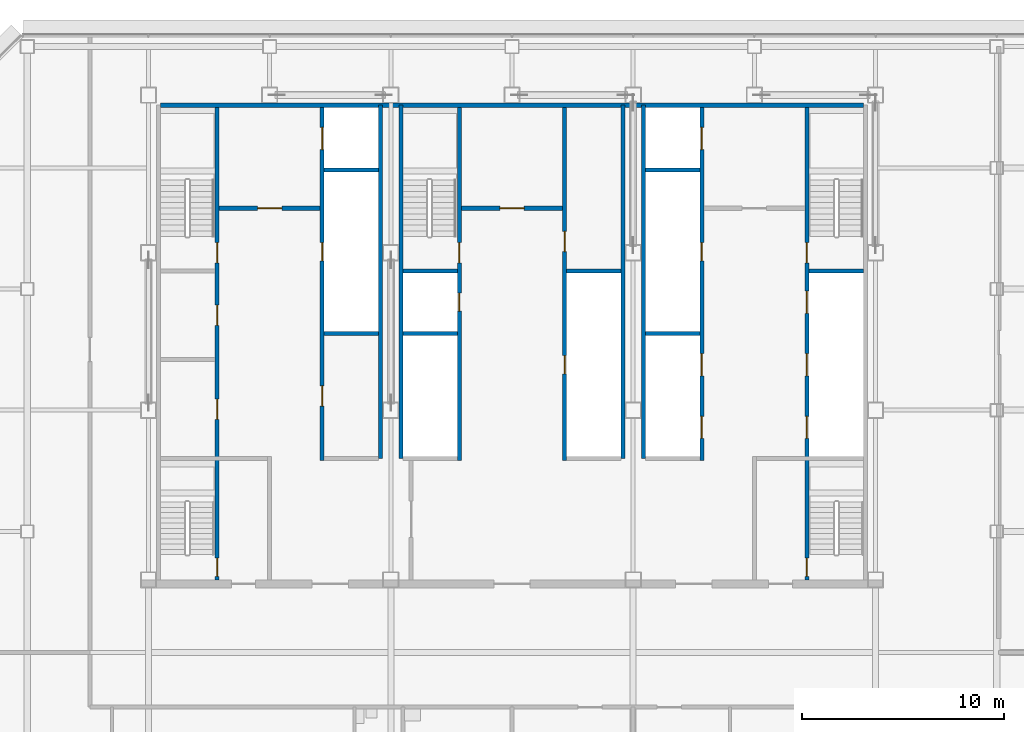
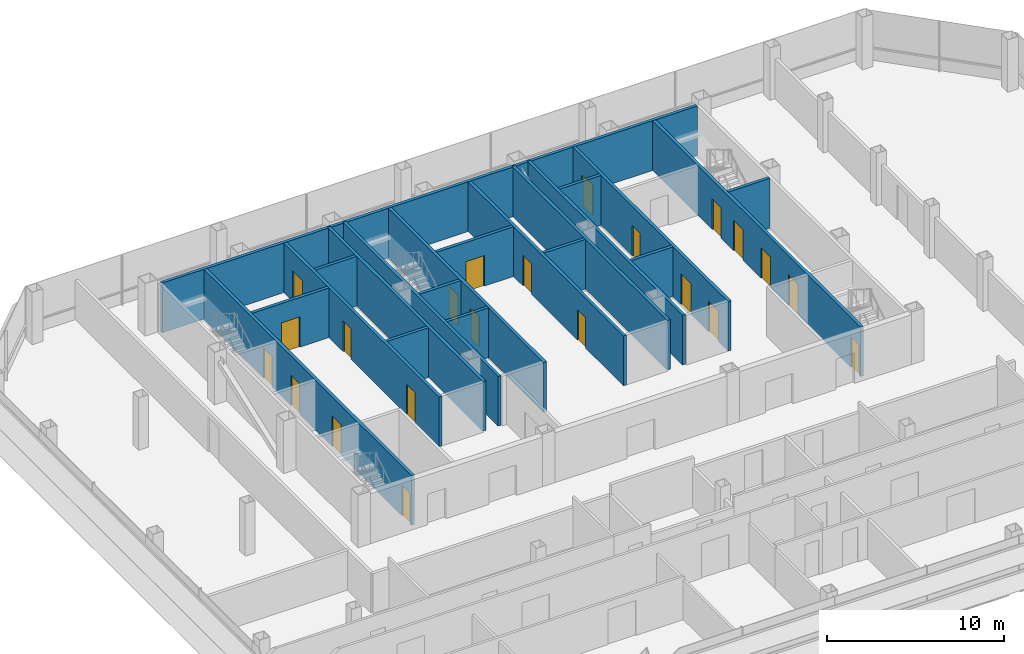
# One storey, part 21 of 24: 22 doors, 21 walls, 22 openings.
"""IFC4 building model written with IfcOpenShell, lengths in metres."""

from ifc_helpers import new_model, si_unit, direction, frame, frame_2d, origin, place, context, subcontext, project, spatial, rectangle, extrude, material, layer, layer_set, type_object, element, fill, save


model = new_model("IFC4")

# Units and contexts
model_context = context("Model", 3, precision=1e-05, world=origin(), true_north=direction((0.0, 1.0)))
body_context = subcontext(model_context, "Body", "Model", "MODEL_VIEW")
ifc_project = project(units=[si_unit("LENGTHUNIT", "METRE"), si_unit("AREAUNIT", "SQUARE_METRE"), si_unit("VOLUMEUNIT", "CUBIC_METRE"), si_unit("PLANEANGLEUNIT", "RADIAN"), si_unit("MASSUNIT", "GRAM", prefix="KILO")], contexts=[model_context])

# Site, building, storey
site_placement = place(None, origin())
site = spatial("IfcSite", under=ifc_project, at=site_placement, CompositionType="ELEMENT")
building_placement = place(site_placement, origin())
building = spatial("IfcBuilding", under=site, at=building_placement, Name="Sorahane Residences", CompositionType="ELEMENT")
storey_placement = place(building_placement, frame((0.0, 0.0, 174.39990234375)))
storey = spatial("IfcBuildingStorey", under=building, at=storey_placement, Name="L40", CompositionType="ELEMENT", Elevation=174.39990234375)

# Walls
ifc_material_1 = material(Name="Concrete C30", Category="concrete")
ifc_layer_1 = layer(ifc_material_1, 0.199951171875)
ifc_layer_set_1 = layer_set([ifc_layer_1], Name="Core face wall 200 EI 180")
wall_type_1 = type_object("IfcWallType", Name="Core face wall 200 EI 180", PredefinedType="SOLIDWALL", material=ifc_layer_set_1)
wall_1_placement = place(storey_placement, frame((6.60009765625, 45.10009765625, 0.0), z_axis=(0.0, 0.0, 1.0), x_axis=(1.0, 0.0, 0.0)))
element("IfcWall", 1, at=wall_1_placement, inside=storey, type_object=wall_type_1, Name="L40 core face wall", PredefinedType="SOLIDWALL", context=body_context, shape_type="SweptSolid", body=[
    extrude(rectangle(XDim=34.7998046875, YDim=0.199951171875, at=frame_2d((17.39990234375, 0.0))), origin(), (0.0, 0.0, 1.0), 3.420166015625),
])
for number, where, z_axis, x_axis, name in (
    (2, (17.5, 27.60009765625, 0.0), (0.0, 0.0, 1.0), (0.0, 1.0, 0.0), "L40 core face wall"),
    (3, (18.5, 27.60009765625, 0.0), (0.0, 0.0, 1.0), (0.0, 1.0, 0.0), "L40 core face wall"),
    (4, (29.5, 27.60009765625, 0.0), (0.0, 0.0, 1.0), (0.0, 1.0, 0.0), "L40 core face wall"),
    (5, (30.5, 27.60009765625, 0.0), (0.0, 0.0, 1.0), (0.0, 1.0, 0.0), "L40 core face wall"),
):
    element("IfcWall", number, at=place(storey_placement, frame(where, z_axis=z_axis, x_axis=x_axis)), inside=storey, type_object=wall_type_1, Name=name, PredefinedType="SOLIDWALL", context=body_context, shape_type="SweptSolid", body=[
        extrude(rectangle(XDim=17.5, YDim=0.199951171875, at=frame_2d((8.75, 0.0))), origin(), (0.0, 0.0, 1.0), 3.420166015625),
    ])

# Wall, opening, door
ifc_material_2 = material(Name="Concrete C30", Category="concrete")
ifc_layer_2 = layer(ifc_material_2, 0.199951171875)
ifc_layer_set_2 = layer_set([ifc_layer_2], Name="Front room wall 200 EI 120")
wall_type_2 = type_object("IfcWallType", Name="Front room wall 200 EI 120", PredefinedType="PARTITIONING", material=ifc_layer_set_2)
wall_2_placement = place(storey_placement, frame((21.5, 40.0, 0.0), z_axis=(0.0, 0.0, 1.0), x_axis=(1.0, 0.0, 0.0)))
wall_2 = element("IfcWall", 6, at=wall_2_placement, inside=storey, type_object=wall_type_2, Name="L40 front room wall", PredefinedType="PARTITIONING", context=body_context, shape_type="SweptSolid", body=[
    extrude(rectangle(XDim=5.0, YDim=0.199951171875, at=frame_2d((2.5, 0.0))), origin(), (0.0, 0.0, 1.0), 3.420166015625),
])
opening_1_placement = place(wall_2_placement, frame((1.89990234375, 0.0, 0.0)))
opening_1 = element("IfcOpeningElement", 7, at=opening_1_placement, cuts=wall_2, Name="Opening L40-C08", PredefinedType="OPENING", context=body_context, shape_type="SweptSolid", body=[
    extrude(rectangle(XDim=1.199951171875, YDim=2.10009765625, at=frame_2d((0.60009765625, 1.050048828125))), frame((0.0, 0.10986328125, 0.0), z_axis=(0.0, -1.0, 0.0), x_axis=(1.0, 0.0, 0.0)), (0.0, 0.0, 1.0), 0.219970703125),
])
ifc_material_3 = material(Name="Steel", Category="steel")
door_type_1 = type_object("IfcDoorType", Name="Front room door 1200x2100 FD120", OperationType="NOTDEFINED", PredefinedType="DOOR", material=ifc_material_3)
door_1_placement = place(opening_1_placement, frame((1.199951171875, 0.0, 0.0), z_axis=(0.0, 0.0, 1.0), x_axis=(-1.0, 0.0, 0.0)))
door_1 = element("IfcDoor", 8, at=door_1_placement, inside=storey, type_object=door_type_1, Name="Front room door Stair S3 vestibule L40", OperationType="DOUBLE_DOOR_SINGLE_SWING", OverallHeight=2.10009765625, OverallWidth=1.199951171875, PredefinedType="DOOR", context=body_context, shape_type="SweptSolid", body=[
    extrude(rectangle(XDim=1.199951171875, YDim=2.10009765625, at=frame_2d((0.60009765625, 1.050048828125))), frame((0.0, 0.02490234375, 0.0), z_axis=(0.0, -1.0, 0.0), x_axis=(1.0, 0.0, 0.0)), (0.0, 0.0, 1.0), 0.050048828125),
])
fill(opening_1, door_1)

wall_3_placement = place(storey_placement, frame((9.5, 40.0, 0.0), z_axis=(0.0, 0.0, 1.0), x_axis=(1.0, 0.0, 0.0)))
wall_3 = element("IfcWall", 9, at=wall_3_placement, inside=storey, type_object=wall_type_2, Name="L40 front room wall", PredefinedType="PARTITIONING", context=body_context, shape_type="SweptSolid", body=[
    extrude(rectangle(XDim=5.0, YDim=0.199951171875, at=frame_2d((2.5, 0.0))), origin(), (0.0, 0.0, 1.0), 3.420166015625),
])
opening_2_placement = place(wall_3_placement, frame((1.89990234375, 0.0, 0.0)))
opening_2 = element("IfcOpeningElement", 10, at=opening_2_placement, cuts=wall_3, Name="Opening L40-C07", PredefinedType="OPENING", context=body_context, shape_type="SweptSolid", body=[
    extrude(rectangle(XDim=1.199951171875, YDim=2.10009765625, at=frame_2d((0.60009765625, 1.050048828125))), frame((0.0, 0.10986328125, 0.0), z_axis=(0.0, -1.0, 0.0), x_axis=(1.0, 0.0, 0.0)), (0.0, 0.0, 1.0), 0.219970703125),
])
door_2_placement = place(opening_2_placement, frame((1.199951171875, 0.0, 0.0), z_axis=(0.0, 0.0, 1.0), x_axis=(-1.0, 0.0, 0.0)))
door_2 = element("IfcDoor", 11, at=door_2_placement, inside=storey, type_object=door_type_1, Name="Front room door Firefighting lobby FF1 front room L40", OperationType="DOUBLE_DOOR_SINGLE_SWING", OverallHeight=2.10009765625, OverallWidth=1.199951171875, PredefinedType="DOOR", context=body_context, shape_type="SweptSolid", body=[
    extrude(rectangle(XDim=1.199951171875, YDim=2.10009765625, at=frame_2d((0.60009765625, 1.050048828125))), frame((0.0, 0.02490234375, 0.0), z_axis=(0.0, -1.0, 0.0), x_axis=(1.0, 0.0, 0.0)), (0.0, 0.0, 1.0), 0.050048828125),
])
fill(opening_2, door_2)

# Wall, openings, doors
ifc_material_4 = material(Name="Concrete C30", Category="concrete")
ifc_layer_3 = layer(ifc_material_4, 0.199951171875)
ifc_layer_set_3 = layer_set([ifc_layer_3], Name="Lift shaft wall 200 EI 120")
wall_type_3 = type_object("IfcWallType", Name="Lift shaft wall 200 EI 120", PredefinedType="SOLIDWALL", material=ifc_layer_set_3)
wall_4_placement = place(storey_placement, frame((14.60009765625, 27.5, 0.0), z_axis=(0.0, 0.0, 1.0), x_axis=(0.0, 1.0, 0.0)))
wall_4 = element("IfcWall", 12, at=wall_4_placement, inside=storey, type_object=wall_type_3, Name="L40 lift shaft wall", PredefinedType="SOLIDWALL", context=body_context, shape_type="SweptSolid", body=[
    extrude(rectangle(XDim=17.5, YDim=0.199951171875, at=frame_2d((8.75, 0.0))), origin(), (0.0, 0.0, 1.0), 3.420166015625),
])
opening_3_placement = place(wall_4_placement, frame((15.39990234375, 0.0, 0.0)))
opening_3 = element("IfcOpeningElement", 13, at=opening_3_placement, cuts=wall_4, Name="Opening L40-C16", PredefinedType="OPENING", context=body_context, shape_type="SweptSolid", body=[
    extrude(rectangle(XDim=1.10009765625, YDim=2.10009765625, at=frame_2d((0.550048828125, 1.050048828125))), frame((0.0, 0.10986328125, 0.0), z_axis=(0.0, -1.0, 0.0), x_axis=(1.0, 0.0, 0.0)), (0.0, 0.0, 1.0), 0.219970703125),
])
opening_4_placement = place(wall_4_placement, frame((2.699951171875, 0.0, 0.0)))
opening_4 = element("IfcOpeningElement", 14, at=opening_4_placement, cuts=wall_4, Name="Opening L40-C17", PredefinedType="OPENING", context=body_context, shape_type="SweptSolid", body=[
    extrude(rectangle(XDim=1.0, YDim=2.10009765625, at=frame_2d((0.5, 1.050048828125))), frame((0.0, 0.10986328125, 0.0), z_axis=(0.0, -1.0, 0.0), x_axis=(1.0, 0.0, 0.0)), (0.0, 0.0, 1.0), 0.219970703125),
])
opening_5_placement = place(wall_4_placement, frame((9.89990234375, 0.0, 0.0)))
opening_5 = element("IfcOpeningElement", 15, at=opening_5_placement, cuts=wall_4, Name="Opening L40-C25", PredefinedType="OPENING", context=body_context, shape_type="SweptSolid", body=[
    extrude(rectangle(XDim=0.89990234375, YDim=2.10009765625, at=frame_2d((0.449951171875, 1.050048828125))), frame((0.0, 0.10986328125, 0.0), z_axis=(0.0, -1.0, 0.0), x_axis=(1.0, 0.0, 0.0)), (0.0, 0.0, 1.0), 0.219970703125),
])
ifc_material_5 = material(Name="Aluminium and stainless steel", Category="steel")
door_type_2 = type_object("IfcDoorType", Name="Lift landing door 1100x2100 E 60", OperationType="NOTDEFINED", PredefinedType="DOOR", material=ifc_material_5)
door_3_placement = place(opening_3_placement, origin())
door_3 = element("IfcDoor", 16, at=door_3_placement, inside=storey, type_object=door_type_2, Name="Lift landing door FF1 L40", OperationType="DOUBLE_DOOR_SLIDING", OverallHeight=2.10009765625, OverallWidth=1.10009765625, PredefinedType="DOOR", context=body_context, shape_type="SweptSolid", body=[
    extrude(rectangle(XDim=1.10009765625, YDim=2.10009765625, at=frame_2d((0.550048828125, 1.050048828125))), frame((0.0, 0.02490234375, 0.0), z_axis=(0.0, -1.0, 0.0), x_axis=(1.0, 0.0, 0.0)), (0.0, 0.0, 1.0), 0.050048828125),
])
fill(opening_3, door_3)
ifc_material_6 = material(Name="Steel", Category="steel")
door_type_3 = type_object("IfcDoorType", Name="Riser door 900x2100 FD120", OperationType="NOTDEFINED", PredefinedType="DOOR", material=ifc_material_6)
door_4_placement = place(opening_5_placement, origin())
door_4 = element("IfcDoor", 17, at=door_4_placement, inside=storey, type_object=door_type_3, Name="Riser door R1 L40", OperationType="SINGLE_SWING_LEFT", OverallHeight=2.10009765625, OverallWidth=0.89990234375, PredefinedType="DOOR", context=body_context, shape_type="SweptSolid", body=[
    extrude(rectangle(XDim=0.89990234375, YDim=2.10009765625, at=frame_2d((0.449951171875, 1.050048828125))), frame((0.0, 0.02490234375, 0.0), z_axis=(0.0, -1.0, 0.0), x_axis=(1.0, 0.0, 0.0)), (0.0, 0.0, 1.0), 0.050048828125),
])
fill(opening_5, door_4)
ifc_material_7 = material(Name="Steel", Category="steel")
door_type_4 = type_object("IfcDoorType", Name="Service room door 1000x2100 FD60", OperationType="NOTDEFINED", PredefinedType="DOOR", material=ifc_material_7)
door_5_placement = place(opening_4_placement, frame((1.0, 0.0, 0.0), z_axis=(0.0, 0.0, 1.0), x_axis=(-1.0, 0.0, 0.0)))
door_5 = element("IfcDoor", 18, at=door_5_placement, inside=storey, type_object=door_type_4, Name="Service room door Guest suite store L40", OperationType="SINGLE_SWING_RIGHT", OverallHeight=2.10009765625, OverallWidth=1.0, PredefinedType="DOOR", context=body_context, shape_type="SweptSolid", body=[
    extrude(rectangle(XDim=1.0, YDim=2.10009765625, at=frame_2d((0.5, 1.050048828125))), frame((0.0, 0.02490234375, 0.0), z_axis=(0.0, -1.0, 0.0), x_axis=(1.0, 0.0, 0.0)), (0.0, 0.0, 1.0), 0.050048828125),
])
fill(opening_4, door_5)

wall_5_placement = place(storey_placement, frame((33.39990234375, 27.5, 0.0), z_axis=(0.0, 0.0, 1.0), x_axis=(0.0, 1.0, 0.0)))
wall_5 = element("IfcWall", 19, at=wall_5_placement, inside=storey, type_object=wall_type_3, Name="L40 lift shaft wall", PredefinedType="SOLIDWALL", context=body_context, shape_type="SweptSolid", body=[
    extrude(rectangle(XDim=17.5, YDim=0.199951171875, at=frame_2d((8.75, 0.0))), origin(), (0.0, 0.0, 1.0), 3.420166015625),
])
opening_6_placement = place(wall_5_placement, frame((1.10009765625, 0.0, 0.0)))
opening_6 = element("IfcOpeningElement", 20, at=opening_6_placement, cuts=wall_5, Name="Opening L40-C13", PredefinedType="OPENING", context=body_context, shape_type="SweptSolid", body=[
    extrude(rectangle(XDim=1.10009765625, YDim=2.10009765625, at=frame_2d((0.550048828125, 1.050048828125))), frame((0.0, 0.10986328125, 0.0), z_axis=(0.0, -1.0, 0.0), x_axis=(1.0, 0.0, 0.0)), (0.0, 0.0, 1.0), 0.219970703125),
])
opening_7_placement = place(wall_5_placement, frame((4.199951171875, 0.0, 0.0)))
opening_7 = element("IfcOpeningElement", 21, at=opening_7_placement, cuts=wall_5, Name="Opening L40-C14", PredefinedType="OPENING", context=body_context, shape_type="SweptSolid", body=[
    extrude(rectangle(XDim=1.10009765625, YDim=2.10009765625, at=frame_2d((0.550048828125, 1.050048828125))), frame((0.0, 0.10986328125, 0.0), z_axis=(0.0, -1.0, 0.0), x_axis=(1.0, 0.0, 0.0)), (0.0, 0.0, 1.0), 0.219970703125),
])
opening_8_placement = place(wall_5_placement, frame((15.39990234375, 0.0, 0.0)))
opening_8 = element("IfcOpeningElement", 22, at=opening_8_placement, cuts=wall_5, Name="Opening L40-C15", PredefinedType="OPENING", context=body_context, shape_type="SweptSolid", body=[
    extrude(rectangle(XDim=1.10009765625, YDim=2.10009765625, at=frame_2d((0.550048828125, 1.050048828125))), frame((0.0, 0.10986328125, 0.0), z_axis=(0.0, -1.0, 0.0), x_axis=(1.0, 0.0, 0.0)), (0.0, 0.0, 1.0), 0.219970703125),
])
opening_9_placement = place(wall_5_placement, frame((9.89990234375, 0.0, 0.0)))
opening_9 = element("IfcOpeningElement", 23, at=opening_9_placement, cuts=wall_5, Name="Opening L40-C26", PredefinedType="OPENING", context=body_context, shape_type="SweptSolid", body=[
    extrude(rectangle(XDim=0.89990234375, YDim=2.10009765625, at=frame_2d((0.449951171875, 1.050048828125))), frame((0.0, 0.10986328125, 0.0), z_axis=(0.0, -1.0, 0.0), x_axis=(1.0, 0.0, 0.0)), (0.0, 0.0, 1.0), 0.219970703125),
])
door_6_placement = place(opening_6_placement, origin())
door_6 = element("IfcDoor", 24, at=door_6_placement, inside=storey, type_object=door_type_2, Name="Lift landing door HR4 L40", OperationType="DOUBLE_DOOR_SLIDING", OverallHeight=2.10009765625, OverallWidth=1.10009765625, PredefinedType="DOOR", context=body_context, shape_type="SweptSolid", body=[
    extrude(rectangle(XDim=1.10009765625, YDim=2.10009765625, at=frame_2d((0.550048828125, 1.050048828125))), frame((0.0, 0.02490234375, 0.0), z_axis=(0.0, -1.0, 0.0), x_axis=(1.0, 0.0, 0.0)), (0.0, 0.0, 1.0), 0.050048828125),
])
fill(opening_6, door_6)
door_7_placement = place(opening_7_placement, origin())
door_7 = element("IfcDoor", 25, at=door_7_placement, inside=storey, type_object=door_type_2, Name="Lift landing door HR5 L40", OperationType="DOUBLE_DOOR_SLIDING", OverallHeight=2.10009765625, OverallWidth=1.10009765625, PredefinedType="DOOR", context=body_context, shape_type="SweptSolid", body=[
    extrude(rectangle(XDim=1.10009765625, YDim=2.10009765625, at=frame_2d((0.550048828125, 1.050048828125))), frame((0.0, 0.02490234375, 0.0), z_axis=(0.0, -1.0, 0.0), x_axis=(1.0, 0.0, 0.0)), (0.0, 0.0, 1.0), 0.050048828125),
])
fill(opening_7, door_7)
door_8_placement = place(opening_8_placement, origin())
door_8 = element("IfcDoor", 26, at=door_8_placement, inside=storey, type_object=door_type_2, Name="Lift landing door FF2 L40", OperationType="DOUBLE_DOOR_SLIDING", OverallHeight=2.10009765625, OverallWidth=1.10009765625, PredefinedType="DOOR", context=body_context, shape_type="SweptSolid", body=[
    extrude(rectangle(XDim=1.10009765625, YDim=2.10009765625, at=frame_2d((0.550048828125, 1.050048828125))), frame((0.0, 0.02490234375, 0.0), z_axis=(0.0, -1.0, 0.0), x_axis=(1.0, 0.0, 0.0)), (0.0, 0.0, 1.0), 0.050048828125),
])
fill(opening_8, door_8)
door_9_placement = place(opening_9_placement, frame((0.89990234375, 0.0, 0.0), z_axis=(0.0, 0.0, 1.0), x_axis=(-1.0, 0.0, 0.0)))
door_9 = element("IfcDoor", 27, at=door_9_placement, inside=storey, type_object=door_type_3, Name="Riser door R2 L40", OperationType="SINGLE_SWING_LEFT", OverallHeight=2.10009765625, OverallWidth=0.89990234375, PredefinedType="DOOR", context=body_context, shape_type="SweptSolid", body=[
    extrude(rectangle(XDim=0.89990234375, YDim=2.10009765625, at=frame_2d((0.449951171875, 1.050048828125))), frame((0.0, 0.02490234375, 0.0), z_axis=(0.0, -1.0, 0.0), x_axis=(1.0, 0.0, 0.0)), (0.0, 0.0, 1.0), 0.050048828125),
])
fill(opening_9, door_9)

# Walls
for number, where, z_axis, x_axis, name in (
    (28, (18.60009765625, 33.800048828125, 0.0), (0.0, 0.0, 1.0), (1.0, 0.0, 0.0), "L40 lift shaft wall"),
    (29, (30.60009765625, 33.800048828125, 0.0), (0.0, 0.0, 1.0), (1.0, 0.0, 0.0), "L40 lift shaft wall"),
    (30, (14.699951171875, 41.89990234375, 0.0), (0.0, 0.0, 1.0), (1.0, 0.0, 0.0), "L40 lift shaft wall"),
    (31, (30.60009765625, 41.89990234375, 0.0), (0.0, 0.0, 1.0), (1.0, 0.0, 0.0), "L40 lift shaft wall"),
):
    element("IfcWall", number, at=place(storey_placement, frame(where, z_axis=z_axis, x_axis=x_axis)), inside=storey, type_object=wall_type_3, Name=name, PredefinedType="SOLIDWALL", context=body_context, shape_type="SweptSolid", body=[
        extrude(rectangle(XDim=2.699951171875, YDim=0.199951171875, at=frame_2d((1.35009765625, 0.0))), origin(), (0.0, 0.0, 1.0), 3.420166015625),
    ])

# Wall, openings, doors
ifc_material_8 = material(Name="Concrete C30", Category="concrete")
ifc_layer_4 = layer(ifc_material_8, 0.199951171875)
ifc_layer_set_4 = layer_set([ifc_layer_4], Name="Riser shaft wall 200 EI 120")
wall_type_4 = type_object("IfcWallType", Name="Riser shaft wall 200 EI 120", PredefinedType="SOLIDWALL", material=ifc_layer_set_4)
wall_6_placement = place(storey_placement, frame((26.60009765625, 27.5, 0.0), z_axis=(0.0, 0.0, 1.0), x_axis=(0.0, 1.0, 0.0)))
wall_6 = element("IfcWall", 32, at=wall_6_placement, inside=storey, type_object=wall_type_4, Name="L40 riser wall", PredefinedType="SOLIDWALL", context=body_context, shape_type="SweptSolid", body=[
    extrude(rectangle(XDim=17.5, YDim=0.199951171875, at=frame_2d((8.75, 0.0))), origin(), (0.0, 0.0, 1.0), 3.420166015625),
])
opening_10_placement = place(wall_6_placement, frame((4.300048828125, 0.0, 0.0)))
opening_10 = element("IfcOpeningElement", 33, at=opening_10_placement, cuts=wall_6, Name="Opening L40-C28", PredefinedType="OPENING", context=body_context, shape_type="SweptSolid", body=[
    extrude(rectangle(XDim=0.89990234375, YDim=2.10009765625, at=frame_2d((0.449951171875, 1.050048828125))), frame((0.0, 0.10986328125, 0.0), z_axis=(0.0, -1.0, 0.0), x_axis=(1.0, 0.0, 0.0)), (0.0, 0.0, 1.0), 0.219970703125),
])
opening_11_placement = place(wall_6_placement, frame((10.35009765625, 0.0, 0.0)))
opening_11 = element("IfcOpeningElement", 34, at=opening_11_placement, cuts=wall_6, Name="Opening L40-C29", PredefinedType="OPENING", context=body_context, shape_type="SweptSolid", body=[
    extrude(rectangle(XDim=1.0, YDim=2.10009765625, at=frame_2d((0.5, 1.050048828125))), frame((0.0, 0.10986328125, 0.0), z_axis=(0.0, -1.0, 0.0), x_axis=(1.0, 0.0, 0.0)), (0.0, 0.0, 1.0), 0.219970703125),
])
door_10_placement = place(opening_10_placement, origin())
door_10 = element("IfcDoor", 35, at=door_10_placement, inside=storey, type_object=door_type_3, Name="Riser door R4 L40", OperationType="SINGLE_SWING_LEFT", OverallHeight=2.10009765625, OverallWidth=0.89990234375, PredefinedType="DOOR", context=body_context, shape_type="SweptSolid", body=[
    extrude(rectangle(XDim=0.89990234375, YDim=2.10009765625, at=frame_2d((0.449951171875, 1.050048828125))), frame((0.0, 0.02490234375, 0.0), z_axis=(0.0, -1.0, 0.0), x_axis=(1.0, 0.0, 0.0)), (0.0, 0.0, 1.0), 0.050048828125),
])
fill(opening_10, door_10)
door_11_placement = place(opening_11_placement, frame((1.0, 0.0, 0.0), z_axis=(0.0, 0.0, 1.0), x_axis=(-1.0, 0.0, 0.0)))
door_11 = element("IfcDoor", 36, at=door_11_placement, inside=storey, type_object=door_type_4, Name="Service room door Housekeeping store L40", OperationType="SINGLE_SWING_LEFT", OverallHeight=2.10009765625, OverallWidth=1.0, PredefinedType="DOOR", context=body_context, shape_type="SweptSolid", body=[
    extrude(rectangle(XDim=1.0, YDim=2.10009765625, at=frame_2d((0.5, 1.050048828125))), frame((0.0, 0.02490234375, 0.0), z_axis=(0.0, -1.0, 0.0), x_axis=(1.0, 0.0, 0.0)), (0.0, 0.0, 1.0), 0.050048828125),
])
fill(opening_11, door_11)

# Walls
for number, where, z_axis, x_axis, name in (
    (37, (14.699951171875, 33.800048828125, 0.0), (0.0, 0.0, 1.0), (1.0, 0.0, 0.0), "L40 riser wall"),
    (38, (26.699951171875, 36.89990234375, 0.0), (0.0, 0.0, 1.0), (1.0, 0.0, 0.0), "L40 riser wall"),
):
    element("IfcWall", number, at=place(storey_placement, frame(where, z_axis=z_axis, x_axis=x_axis)), inside=storey, type_object=wall_type_4, Name=name, PredefinedType="SOLIDWALL", context=body_context, shape_type="SweptSolid", body=[
        extrude(rectangle(XDim=2.699951171875, YDim=0.199951171875, at=frame_2d((1.35009765625, 0.0))), origin(), (0.0, 0.0, 1.0), 3.420166015625),
    ])

# Wall, openings, doors
ifc_material_9 = material(Name="Concrete C30", Category="concrete")
ifc_layer_5 = layer(ifc_material_9, 0.199951171875)
ifc_layer_set_5 = layer_set([ifc_layer_5], Name="Stair enclosure wall 200 EI 120")
wall_type_5 = type_object("IfcWallType", Name="Stair enclosure wall 200 EI 120", PredefinedType="SOLIDWALL", material=ifc_layer_set_5)
wall_7_placement = place(storey_placement, frame((21.39990234375, 27.5, 0.0), z_axis=(0.0, 0.0, 1.0), x_axis=(0.0, 1.0, 0.0)))
wall_7 = element("IfcWall", 39, at=wall_7_placement, inside=storey, type_object=wall_type_5, Name="L40 stair enclosure wall", PredefinedType="SOLIDWALL", context=body_context, shape_type="SweptSolid", body=[
    extrude(rectangle(XDim=17.5, YDim=0.199951171875, at=frame_2d((8.75, 0.0))), origin(), (0.0, 0.0, 1.0), 3.420166015625),
])
opening_12_placement = place(wall_7_placement, frame((9.800048828125, 0.0, 0.0)))
opening_12 = element("IfcOpeningElement", 40, at=opening_12_placement, cuts=wall_7, Name="Opening L40-C22", PredefinedType="OPENING", context=body_context, shape_type="SweptSolid", body=[
    extrude(rectangle(XDim=1.0, YDim=2.10009765625, at=frame_2d((0.5, 1.050048828125))), frame((0.0, 0.10986328125, 0.0), z_axis=(0.0, -1.0, 0.0), x_axis=(1.0, 0.0, 0.0)), (0.0, 0.0, 1.0), 0.219970703125),
])
opening_13_placement = place(wall_7_placement, frame((7.39990234375, 0.0, 0.0)))
opening_13 = element("IfcOpeningElement", 41, at=opening_13_placement, cuts=wall_7, Name="Opening L40-C27", PredefinedType="OPENING", context=body_context, shape_type="SweptSolid", body=[
    extrude(rectangle(XDim=0.89990234375, YDim=2.10009765625, at=frame_2d((0.449951171875, 1.050048828125))), frame((0.0, 0.10986328125, 0.0), z_axis=(0.0, -1.0, 0.0), x_axis=(1.0, 0.0, 0.0)), (0.0, 0.0, 1.0), 0.219970703125),
])
door_12_placement = place(opening_13_placement, frame((0.89990234375, 0.0, 0.0), z_axis=(0.0, 0.0, 1.0), x_axis=(-1.0, 0.0, 0.0)))
door_12 = element("IfcDoor", 42, at=door_12_placement, inside=storey, type_object=door_type_3, Name="Riser door R3 L40", OperationType="SINGLE_SWING_LEFT", OverallHeight=2.10009765625, OverallWidth=0.89990234375, PredefinedType="DOOR", context=body_context, shape_type="SweptSolid", body=[
    extrude(rectangle(XDim=0.89990234375, YDim=2.10009765625, at=frame_2d((0.449951171875, 1.050048828125))), frame((0.0, 0.02490234375, 0.0), z_axis=(0.0, -1.0, 0.0), x_axis=(1.0, 0.0, 0.0)), (0.0, 0.0, 1.0), 0.050048828125),
])
fill(opening_13, door_12)
ifc_material_10 = material(Name="Steel", Category="steel")
door_type_5 = type_object("IfcDoorType", Name="Stair door 1000x2100 FD120", OperationType="NOTDEFINED", PredefinedType="DOOR", material=ifc_material_10)
door_13_placement = place(opening_12_placement, origin())
door_13 = element("IfcDoor", 43, at=door_13_placement, inside=storey, type_object=door_type_5, Name="Stair door S3 L40", OperationType="SINGLE_SWING_LEFT", OverallHeight=2.10009765625, OverallWidth=1.0, PredefinedType="DOOR", context=body_context, shape_type="SweptSolid", body=[
    extrude(rectangle(XDim=1.0, YDim=2.10009765625, at=frame_2d((0.5, 1.050048828125))), frame((0.0, 0.02490234375, 0.0), z_axis=(0.0, -1.0, 0.0), x_axis=(1.0, 0.0, 0.0)), (0.0, 0.0, 1.0), 0.050048828125),
])
fill(opening_12, door_13)

wall_8_placement = place(storey_placement, frame((38.60009765625, 21.60009765625, 0.0), z_axis=(0.0, 0.0, 1.0), x_axis=(0.0, 1.0, 0.0)))
wall_8 = element("IfcWall", 44, at=wall_8_placement, inside=storey, type_object=wall_type_5, Name="L40 stair enclosure wall", PredefinedType="SOLIDWALL", context=body_context, shape_type="SweptSolid", body=[
    extrude(rectangle(XDim=23.39990234375, YDim=0.199951171875, at=frame_2d((11.699951171875, 0.0))), origin(), (0.0, 0.0, 1.0), 3.420166015625),
])
opening_14_placement = place(wall_8_placement, frame((7.0, 0.0, 0.0)))
opening_14 = element("IfcOpeningElement", 45, at=opening_14_placement, cuts=wall_8, Name="Opening L40-C10", PredefinedType="OPENING", context=body_context, shape_type="SweptSolid", body=[
    extrude(rectangle(XDim=1.10009765625, YDim=2.10009765625, at=frame_2d((0.550048828125, 1.050048828125))), frame((0.0, 0.10986328125, 0.0), z_axis=(0.0, -1.0, 0.0), x_axis=(1.0, 0.0, 0.0)), (0.0, 0.0, 1.0), 0.219970703125),
])
opening_15_placement = place(wall_8_placement, frame((10.10009765625, 0.0, 0.0)))
opening_15 = element("IfcOpeningElement", 46, at=opening_15_placement, cuts=wall_8, Name="Opening L40-C11", PredefinedType="OPENING", context=body_context, shape_type="SweptSolid", body=[
    extrude(rectangle(XDim=1.10009765625, YDim=2.10009765625, at=frame_2d((0.550048828125, 1.050048828125))), frame((0.0, 0.10986328125, 0.0), z_axis=(0.0, -1.0, 0.0), x_axis=(1.0, 0.0, 0.0)), (0.0, 0.0, 1.0), 0.219970703125),
])
opening_16_placement = place(wall_8_placement, frame((13.199951171875, 0.0, 0.0)))
opening_16 = element("IfcOpeningElement", 47, at=opening_16_placement, cuts=wall_8, Name="Opening L40-C12", PredefinedType="OPENING", context=body_context, shape_type="SweptSolid", body=[
    extrude(rectangle(XDim=1.10009765625, YDim=2.10009765625, at=frame_2d((0.550048828125, 1.050048828125))), frame((0.0, 0.10986328125, 0.0), z_axis=(0.0, -1.0, 0.0), x_axis=(1.0, 0.0, 0.0)), (0.0, 0.0, 1.0), 0.219970703125),
])
opening_17_placement = place(wall_8_placement, frame((15.699951171875, 0.0, 0.0)))
opening_17 = element("IfcOpeningElement", 48, at=opening_17_placement, cuts=wall_8, Name="Opening L40-C21", PredefinedType="OPENING", context=body_context, shape_type="SweptSolid", body=[
    extrude(rectangle(XDim=1.0, YDim=2.10009765625, at=frame_2d((0.5, 1.050048828125))), frame((0.0, 0.10986328125, 0.0), z_axis=(0.0, -1.0, 0.0), x_axis=(1.0, 0.0, 0.0)), (0.0, 0.0, 1.0), 0.219970703125),
])
opening_18_placement = place(wall_8_placement, frame((0.175048828125, 0.0, 0.0)))
opening_18 = element("IfcOpeningElement", 49, at=opening_18_placement, cuts=wall_8, Name="Opening L40-C24", PredefinedType="OPENING", context=body_context, shape_type="SweptSolid", body=[
    extrude(rectangle(XDim=0.89990234375, YDim=2.10009765625, at=frame_2d((0.449951171875, 1.050048828125))), frame((0.0, 0.10986328125, 0.0), z_axis=(0.0, -1.0, 0.0), x_axis=(1.0, 0.0, 0.0)), (0.0, 0.0, 1.0), 0.219970703125),
])
door_14_placement = place(opening_14_placement, origin())
door_14 = element("IfcDoor", 50, at=door_14_placement, inside=storey, type_object=door_type_2, Name="Lift landing door HR1 L40", OperationType="DOUBLE_DOOR_SLIDING", OverallHeight=2.10009765625, OverallWidth=1.10009765625, PredefinedType="DOOR", context=body_context, shape_type="SweptSolid", body=[
    extrude(rectangle(XDim=1.10009765625, YDim=2.10009765625, at=frame_2d((0.550048828125, 1.050048828125))), frame((0.0, 0.02490234375, 0.0), z_axis=(0.0, -1.0, 0.0), x_axis=(1.0, 0.0, 0.0)), (0.0, 0.0, 1.0), 0.050048828125),
])
fill(opening_14, door_14)
door_15_placement = place(opening_15_placement, origin())
door_15 = element("IfcDoor", 51, at=door_15_placement, inside=storey, type_object=door_type_2, Name="Lift landing door HR2 L40", OperationType="DOUBLE_DOOR_SLIDING", OverallHeight=2.10009765625, OverallWidth=1.10009765625, PredefinedType="DOOR", context=body_context, shape_type="SweptSolid", body=[
    extrude(rectangle(XDim=1.10009765625, YDim=2.10009765625, at=frame_2d((0.550048828125, 1.050048828125))), frame((0.0, 0.02490234375, 0.0), z_axis=(0.0, -1.0, 0.0), x_axis=(1.0, 0.0, 0.0)), (0.0, 0.0, 1.0), 0.050048828125),
])
fill(opening_15, door_15)
door_16_placement = place(opening_16_placement, origin())
door_16 = element("IfcDoor", 52, at=door_16_placement, inside=storey, type_object=door_type_2, Name="Lift landing door HR3 L40", OperationType="DOUBLE_DOOR_SLIDING", OverallHeight=2.10009765625, OverallWidth=1.10009765625, PredefinedType="DOOR", context=body_context, shape_type="SweptSolid", body=[
    extrude(rectangle(XDim=1.10009765625, YDim=2.10009765625, at=frame_2d((0.550048828125, 1.050048828125))), frame((0.0, 0.02490234375, 0.0), z_axis=(0.0, -1.0, 0.0), x_axis=(1.0, 0.0, 0.0)), (0.0, 0.0, 1.0), 0.050048828125),
])
fill(opening_16, door_16)
door_17_placement = place(opening_17_placement, frame((1.0, 0.0, 0.0), z_axis=(0.0, 0.0, 1.0), x_axis=(-1.0, 0.0, 0.0)))
door_17 = element("IfcDoor", 53, at=door_17_placement, inside=storey, type_object=door_type_5, Name="Stair door S2 L40", OperationType="SINGLE_SWING_LEFT", OverallHeight=2.10009765625, OverallWidth=1.0, PredefinedType="DOOR", context=body_context, shape_type="SweptSolid", body=[
    extrude(rectangle(XDim=1.0, YDim=2.10009765625, at=frame_2d((0.5, 1.050048828125))), frame((0.0, 0.02490234375, 0.0), z_axis=(0.0, -1.0, 0.0), x_axis=(1.0, 0.0, 0.0)), (0.0, 0.0, 1.0), 0.050048828125),
])
fill(opening_17, door_17)
ifc_material_11 = material(Name="Steel", Category="steel")
door_type_6 = type_object("IfcDoorType", Name="Stair door 900x2100 FD120", OperationType="NOTDEFINED", PredefinedType="DOOR", material=ifc_material_11)
door_18_placement = place(opening_18_placement, frame((0.89990234375, 0.0, 0.0), z_axis=(0.0, 0.0, 1.0), x_axis=(-1.0, 0.0, 0.0)))
door_18 = element("IfcDoor", 54, at=door_18_placement, inside=storey, type_object=door_type_6, Name="Stair door S5 L40", OperationType="SINGLE_SWING_LEFT", OverallHeight=2.10009765625, OverallWidth=0.89990234375, PredefinedType="DOOR", context=body_context, shape_type="SweptSolid", body=[
    extrude(rectangle(XDim=0.89990234375, YDim=2.10009765625, at=frame_2d((0.449951171875, 1.050048828125))), frame((0.0, 0.02490234375, 0.0), z_axis=(0.0, -1.0, 0.0), x_axis=(1.0, 0.0, 0.0)), (0.0, 0.0, 1.0), 0.050048828125),
])
fill(opening_18, door_18)

wall_9_placement = place(storey_placement, frame((9.39990234375, 21.60009765625, 0.0), z_axis=(0.0, 0.0, 1.0), x_axis=(0.0, 1.0, 0.0)))
wall_9 = element("IfcWall", 55, at=wall_9_placement, inside=storey, type_object=wall_type_5, Name="L40 stair enclosure wall", PredefinedType="SOLIDWALL", context=body_context, shape_type="SweptSolid", body=[
    extrude(rectangle(XDim=23.39990234375, YDim=0.199951171875, at=frame_2d((11.699951171875, 0.0))), origin(), (0.0, 0.0, 1.0), 3.420166015625),
])
opening_19_placement = place(wall_9_placement, frame((7.949951171875, 0.0, 0.0)))
opening_19 = element("IfcOpeningElement", 56, at=opening_19_placement, cuts=wall_9, Name="Opening L40-C18", PredefinedType="OPENING", context=body_context, shape_type="SweptSolid", body=[
    extrude(rectangle(XDim=1.0, YDim=2.10009765625, at=frame_2d((0.5, 1.050048828125))), frame((0.0, 0.10986328125, 0.0), z_axis=(0.0, -1.0, 0.0), x_axis=(1.0, 0.0, 0.0)), (0.0, 0.0, 1.0), 0.219970703125),
])
opening_20_placement = place(wall_9_placement, frame((12.60009765625, 0.0, 0.0)))
opening_20 = element("IfcOpeningElement", 57, at=opening_20_placement, cuts=wall_9, Name="Opening L40-C19", PredefinedType="OPENING", context=body_context, shape_type="SweptSolid", body=[
    extrude(rectangle(XDim=1.0, YDim=2.10009765625, at=frame_2d((0.5, 1.050048828125))), frame((0.0, 0.10986328125, 0.0), z_axis=(0.0, -1.0, 0.0), x_axis=(1.0, 0.0, 0.0)), (0.0, 0.0, 1.0), 0.219970703125),
])
opening_21_placement = place(wall_9_placement, frame((15.699951171875, 0.0, 0.0)))
opening_21 = element("IfcOpeningElement", 58, at=opening_21_placement, cuts=wall_9, Name="Opening L40-C20", PredefinedType="OPENING", context=body_context, shape_type="SweptSolid", body=[
    extrude(rectangle(XDim=1.0, YDim=2.10009765625, at=frame_2d((0.5, 1.050048828125))), frame((0.0, 0.10986328125, 0.0), z_axis=(0.0, -1.0, 0.0), x_axis=(1.0, 0.0, 0.0)), (0.0, 0.0, 1.0), 0.219970703125),
])
opening_22_placement = place(wall_9_placement, frame((0.175048828125, 0.0, 0.0)))
opening_22 = element("IfcOpeningElement", 59, at=opening_22_placement, cuts=wall_9, Name="Opening L40-C23", PredefinedType="OPENING", context=body_context, shape_type="SweptSolid", body=[
    extrude(rectangle(XDim=0.89990234375, YDim=2.10009765625, at=frame_2d((0.449951171875, 1.050048828125))), frame((0.0, 0.10986328125, 0.0), z_axis=(0.0, -1.0, 0.0), x_axis=(1.0, 0.0, 0.0)), (0.0, 0.0, 1.0), 0.219970703125),
])
door_19_placement = place(opening_19_placement, origin())
door_19 = element("IfcDoor", 60, at=door_19_placement, inside=storey, type_object=door_type_4, Name="Service room door Study L40", OperationType="SINGLE_SWING_LEFT", OverallHeight=2.10009765625, OverallWidth=1.0, PredefinedType="DOOR", context=body_context, shape_type="SweptSolid", body=[
    extrude(rectangle(XDim=1.0, YDim=2.10009765625, at=frame_2d((0.5, 1.050048828125))), frame((0.0, 0.02490234375, 0.0), z_axis=(0.0, -1.0, 0.0), x_axis=(1.0, 0.0, 0.0)), (0.0, 0.0, 1.0), 0.050048828125),
])
fill(opening_19, door_19)
door_20_placement = place(opening_20_placement, origin())
door_20 = element("IfcDoor", 61, at=door_20_placement, inside=storey, type_object=door_type_4, Name="Service room door Lounge L40", OperationType="SINGLE_SWING_RIGHT", OverallHeight=2.10009765625, OverallWidth=1.0, PredefinedType="DOOR", context=body_context, shape_type="SweptSolid", body=[
    extrude(rectangle(XDim=1.0, YDim=2.10009765625, at=frame_2d((0.5, 1.050048828125))), frame((0.0, 0.02490234375, 0.0), z_axis=(0.0, -1.0, 0.0), x_axis=(1.0, 0.0, 0.0)), (0.0, 0.0, 1.0), 0.050048828125),
])
fill(opening_20, door_20)
door_21_placement = place(opening_21_placement, origin())
door_21 = element("IfcDoor", 62, at=door_21_placement, inside=storey, type_object=door_type_5, Name="Stair door S1 L40", OperationType="SINGLE_SWING_LEFT", OverallHeight=2.10009765625, OverallWidth=1.0, PredefinedType="DOOR", context=body_context, shape_type="SweptSolid", body=[
    extrude(rectangle(XDim=1.0, YDim=2.10009765625, at=frame_2d((0.5, 1.050048828125))), frame((0.0, 0.02490234375, 0.0), z_axis=(0.0, -1.0, 0.0), x_axis=(1.0, 0.0, 0.0)), (0.0, 0.0, 1.0), 0.050048828125),
])
fill(opening_21, door_21)
door_22_placement = place(opening_22_placement, origin())
door_22 = element("IfcDoor", 63, at=door_22_placement, inside=storey, type_object=door_type_6, Name="Stair door S4 L40", OperationType="SINGLE_SWING_LEFT", OverallHeight=2.10009765625, OverallWidth=0.89990234375, PredefinedType="DOOR", context=body_context, shape_type="SweptSolid", body=[
    extrude(rectangle(XDim=0.89990234375, YDim=2.10009765625, at=frame_2d((0.449951171875, 1.050048828125))), frame((0.0, 0.02490234375, 0.0), z_axis=(0.0, -1.0, 0.0), x_axis=(1.0, 0.0, 0.0)), (0.0, 0.0, 1.0), 0.050048828125),
])
fill(opening_22, door_22)

# Walls
for number, where, z_axis, x_axis, name in (
    (64, (18.60009765625, 36.89990234375, 0.0), (0.0, 0.0, 1.0), (1.0, 0.0, 0.0), "L40 stair enclosure wall"),
    (65, (38.699951171875, 36.89990234375, 0.0), (0.0, 0.0, 1.0), (1.0, 0.0, 0.0), "L40 stair enclosure wall"),
):
    element("IfcWall", number, at=place(storey_placement, frame(where, z_axis=z_axis, x_axis=x_axis)), inside=storey, type_object=wall_type_5, Name=name, PredefinedType="SOLIDWALL", context=body_context, shape_type="SweptSolid", body=[
        extrude(rectangle(XDim=2.699951171875, YDim=0.199951171875, at=frame_2d((1.35009765625, 0.0))), origin(), (0.0, 0.0, 1.0), 3.420166015625),
    ])

save(model, "model.ifc")
